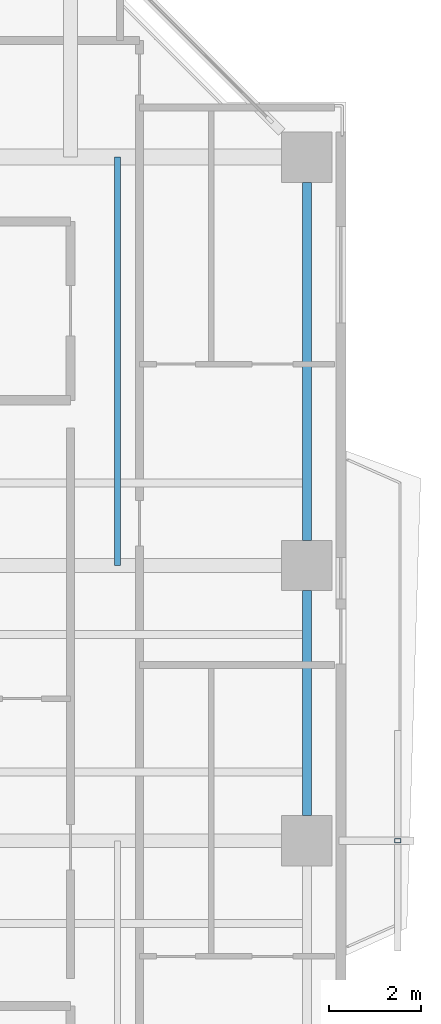
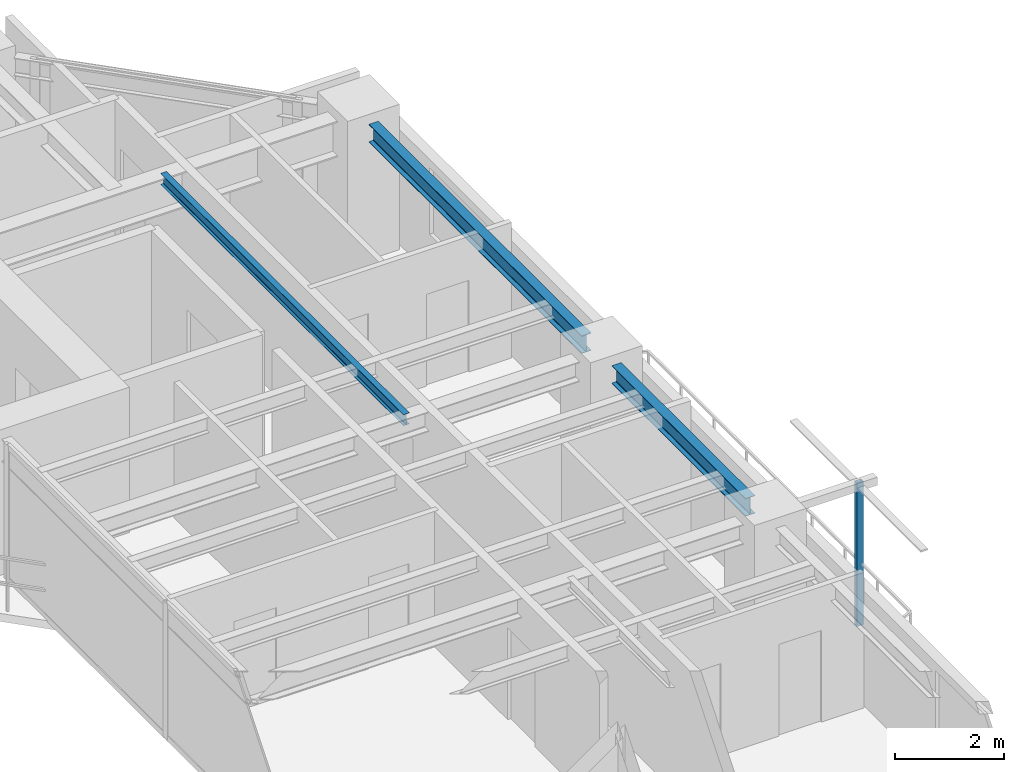
# One storey, part 7 of 16: 3 beams, 1 member.
"""IFC4 building model written with IfcOpenShell, lengths in metres."""

from ifc_helpers import new_model, si_unit, direction, frame, origin, origin_2d, place, context, subcontext, project, spatial, hollow_rectangle, i_section, extrude, source, transform, mapped, material, material_profile, profile_set, type_object, element, save


model = new_model("IFC4")

# Units and contexts
model_context = context("Model", 3, precision=1e-05, world=origin(), true_north=direction((0.0, 1.0)))
body_context = subcontext(model_context, "Body", "Model", "MODEL_VIEW")
ifc_project = project(units=[si_unit("LENGTHUNIT", "METRE"), si_unit("AREAUNIT", "SQUARE_METRE"), si_unit("VOLUMEUNIT", "CUBIC_METRE"), si_unit("PLANEANGLEUNIT", "RADIAN"), si_unit("MASSUNIT", "GRAM", prefix="KILO"), si_unit("THERMODYNAMICTEMPERATUREUNIT", "KELVIN"), si_unit("POWERUNIT", "WATT")], contexts=[model_context])

# Site, building, storey
site_placement = place(None, origin())
site = spatial("IfcSite", under=ifc_project, at=site_placement, CompositionType="ELEMENT")
building_placement = place(site_placement, origin())
building = spatial("IfcBuilding", under=site, at=building_placement, Name="Qiaomeng Ring Towers", CompositionType="ELEMENT")
storey_placement = place(building_placement, frame((0.0, 0.0, 136.0)))
storey = spatial("IfcBuildingStorey", under=building, at=storey_placement, Name="L39", CompositionType="ELEMENT", Elevation=136.0)

# Beams
ifc_material_1 = material(Name="Steel Q355B", Category="steel")
ifc_material_profile_1 = material_profile(ifc_material_1, i_section(OverallWidth=0.199951171875, OverallDepth=0.39990234375, WebThickness=0.008056640625, FlangeThickness=0.012939453125, FilletRadius=0.01611328125, at=origin_2d()), Name="HN 400x200x8x13")
ifc_profile_set_1 = profile_set([ifc_material_profile_1], Name="Steel Q355B")
beam_type_1 = type_object("IfcBeamType", Name="STR-BM-HN400", PredefinedType="SPANDREL", material=ifc_profile_set_1)
shared_shape_1 = source(origin(), body_context, "Body", "SweptSolid", [
    extrude(i_section(OverallWidth=0.199951171875, OverallDepth=0.39990234375, WebThickness=0.008056640625, FlangeThickness=0.012939453125, FilletRadius=0.01611328125, at=origin_2d()), origin(), (0.0, 0.0, 1.0), 7.802001953125),
])
beam_1_placement = place(storey_placement, frame((36.050048828125, 26.549072265625, 2.830078125), z_axis=(0.0, 1.0, 0.0), x_axis=(-1.0, 0.0, 0.0)))
element("IfcBeam", 1, at=beam_1_placement, inside=storey, type_object=beam_type_1, Name="L39 beam STR-SP-L39-T1-E3-E4", PredefinedType="SPANDREL", context=body_context, shape_type="MappedRepresentation", body=[
    mapped(shared_shape_1, transform((0.0, 0.0, 0.0), x_axis=(1.0, 0.0, 0.0), y_axis=(0.0, 1.0, 0.0), z_axis=(0.0, 0.0, 1.0), scale=1.0)),
])
shared_shape_2 = source(origin(), body_context, "Body", "SweptSolid", [
    extrude(i_section(OverallWidth=0.199951171875, OverallDepth=0.39990234375, WebThickness=0.008056640625, FlangeThickness=0.012939453125, FilletRadius=0.01611328125, at=origin_2d()), origin(), (0.0, 0.0, 1.0), 4.90185546875),
])
beam_2_placement = place(storey_placement, frame((36.050048828125, 20.549072265625, 2.830078125), z_axis=(0.0, 1.0, 0.0), x_axis=(-1.0, 0.0, 0.0)))
element("IfcBeam", 2, at=beam_2_placement, inside=storey, type_object=beam_type_1, Name="L39 beam STR-SP-L39-T1-E2-E3", PredefinedType="SPANDREL", context=body_context, shape_type="MappedRepresentation", body=[
    mapped(shared_shape_2, transform((0.0, 0.0, 0.0), x_axis=(1.0, 0.0, 0.0), y_axis=(0.0, 1.0, 0.0), z_axis=(0.0, 0.0, 1.0), scale=1.0)),
])
ifc_material_profile_2 = material_profile(ifc_material_1, i_section(OverallWidth=0.125, OverallDepth=0.25, WebThickness=0.006103515625, FlangeThickness=0.009033203125, FilletRadius=0.011962890625, at=origin_2d()), Name="HN 250x125x6x9")
ifc_profile_set_2 = profile_set([ifc_material_profile_2], Name="Steel Q355B")
beam_type_2 = type_object("IfcBeamType", Name="STR-BM-HN250", PredefinedType="JOIST", material=ifc_profile_set_2)
shared_shape_3 = source(origin(), body_context, "Body", "SweptSolid", [
    extrude(i_section(OverallWidth=0.125, OverallDepth=0.25, WebThickness=0.006103515625, FlangeThickness=0.009033203125, FilletRadius=0.011962890625, at=origin_2d()), origin(), (0.0, 0.0, 1.0), 8.89990234375),
])
beam_3_placement = place(storey_placement, frame((31.925048828125, 26.0, 2.905029296875), z_axis=(0.0, 1.0, 0.0), x_axis=(-1.0, 0.0, 0.0)))
element("IfcBeam", 3, at=beam_3_placement, inside=storey, type_object=beam_type_2, Name="L39 beam STR-JST-L39-T1C-EN", PredefinedType="JOIST", context=body_context, shape_type="MappedRepresentation", body=[
    mapped(shared_shape_3, transform((0.0, 0.0, 0.0), x_axis=(1.0, 0.0, 0.0), y_axis=(0.0, 1.0, 0.0), z_axis=(0.0, 0.0, 1.0), scale=1.0)),
])

# Member
ifc_material_2 = material(Name="Stainless steel 316", Category="steel")
ifc_material_profile_3 = material_profile(ifc_material_2, hollow_rectangle(XDim=0.090087890625, YDim=0.139892578125, WallThickness=0.0048828125, at=origin_2d()), Name="SS TRELLIS 90x140")
ifc_profile_set_3 = profile_set([ifc_material_profile_3], Name="Stainless steel 316")
member_type = type_object("IfcMemberType", Name="ARC-TR-POST1", PredefinedType="STUD", material=ifc_profile_set_3)
shared_shape_4 = source(origin(), body_context, "Body", "SweptSolid", [
    extrude(hollow_rectangle(XDim=0.090087890625, YDim=0.139892578125, WallThickness=0.0048828125, at=origin_2d()), origin(), (0.0, 0.0, 1.0), 3.2099609375),
])
member_placement = place(storey_placement, frame((38.030029296875, 20.0, -0.179931640625), z_axis=(0.0, 0.0, 1.0), x_axis=(0.0, 1.0, 0.0)))
element("IfcMember", 4, at=member_placement, inside=storey, type_object=member_type, Name="L39 Outer Ventilated Trellis Post E", PredefinedType="STUD", context=body_context, shape_type="MappedRepresentation", body=[
    mapped(shared_shape_4, transform((0.0, 0.0, 0.0), x_axis=(1.0, 0.0, 0.0), y_axis=(0.0, 1.0, 0.0), z_axis=(0.0, 0.0, 1.0), scale=1.0)),
])

save(model, "model.ifc")
